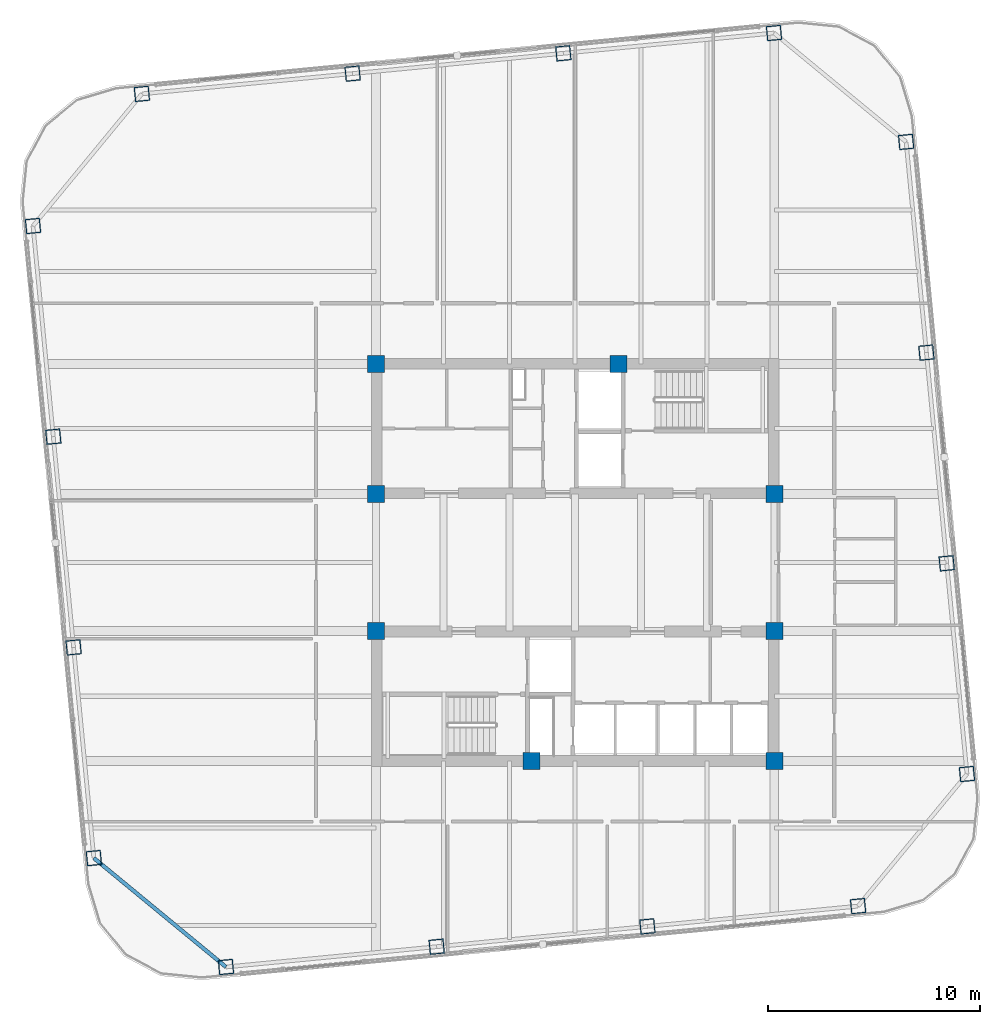
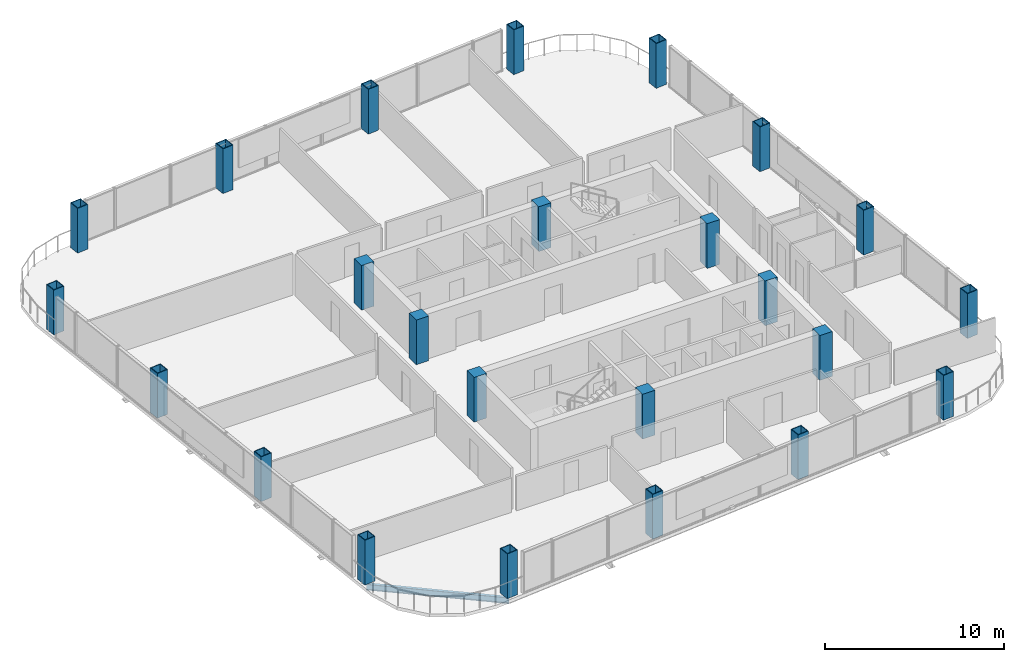
# One storey, part 1 of 22: 24 columns, 1 beam.
"""IFC4 building model written with IfcOpenShell, lengths in metres."""

from ifc_helpers import new_model, si_unit, direction, frame, origin, origin_2d, place, context, subcontext, project, spatial, rectangle, hollow_rectangle, i_section, extrude, material, material_profile, profile_set, type_object, element, save


model = new_model("IFC4")

# Units and contexts
model_context = context("Model", 3, precision=1e-05, world=origin(), true_north=direction((0.0, 1.0)))
body_context = subcontext(model_context, "Body", "Model", "MODEL_VIEW")
ifc_project = project(units=[si_unit("LENGTHUNIT", "METRE"), si_unit("AREAUNIT", "SQUARE_METRE"), si_unit("VOLUMEUNIT", "CUBIC_METRE"), si_unit("PLANEANGLEUNIT", "RADIAN"), si_unit("MASSUNIT", "GRAM", prefix="KILO")], contexts=[model_context])

# Site, building, storey
site_placement = place(None, origin())
site = spatial("IfcSite", under=ifc_project, at=site_placement, CompositionType="ELEMENT")
building_placement = place(site_placement, origin())
building = spatial("IfcBuilding", under=site, at=building_placement, Name="Qhalaya Broadcast Tower", CompositionType="ELEMENT")
storey_placement = place(building_placement, frame((0.0, 0.0, 174.449951171875)))
storey = spatial("IfcBuildingStorey", under=building, at=storey_placement, Name="L51", CompositionType="ELEMENT", Elevation=174.449951171875)

# Columns
ifc_material_1 = material(Name="Concrete C50/60", Category="concrete")
ifc_material_profile_1 = material_profile(ifc_material_1, rectangle(XDim=0.800048828125, YDim=0.800048828125, at=origin_2d()), Name="RC-COL 800x800")
ifc_profile_set_1 = profile_set([ifc_material_profile_1], Name="Concrete C50/60")
column_type_1 = type_object("IfcColumnType", Name="RC Upper Column C10", PredefinedType="COLUMN", material=ifc_profile_set_1)
for number, where, z_axis, x_axis, name in (
    (1, (-9.375, 9.949951171875, 0.0), (0.0, 0.0, 1.0), (1.0, 0.0, 0.0), "L51 Column COL-CC1"),
    (2, (2.050048828125, 9.949951171875, 0.0), (0.0, 0.0, 1.0), (1.0, 0.0, 0.0), "L51 Column COL-CC2"),
    (3, (-9.375, 3.824951171875, 0.0), (0.0, 0.0, 1.0), (1.0, 0.0, 0.0), "L51 Column COL-CC3"),
    (4, (9.375, 3.824951171875, 0.0), (0.0, 0.0, 1.0), (1.0, 0.0, 0.0), "L51 Column COL-CC4"),
    (5, (-9.375, -2.625, 0.0), (0.0, 0.0, 1.0), (1.0, 0.0, 0.0), "L51 Column COL-CC5"),
    (6, (9.375, -2.625, 0.0), (0.0, 0.0, 1.0), (1.0, 0.0, 0.0), "L51 Column COL-CC6"),
    (7, (-2.050048828125, -8.75, 0.0), (0.0, 0.0, 1.0), (1.0, 0.0, 0.0), "L51 Column COL-CC7"),
    (8, (9.375, -8.75, 0.0), (0.0, 0.0, 1.0), (1.0, 0.0, 0.0), "L51 Column COL-CC8"),
):
    element("IfcColumn", number, at=place(storey_placement, frame(where, z_axis=z_axis, x_axis=x_axis)), inside=storey, type_object=column_type_1, Name=name, PredefinedType="COLUMN", context=body_context, shape_type="SweptSolid", body=[
        extrude(rectangle(XDim=0.800048828125, YDim=0.800048828125, at=origin_2d()), origin(), (0.0, 0.0, 1.0), 3.050048828125),
    ])
ifc_material_2 = material(Name="Structural Steel ASTM A572 Grade 50", Category="steel")
ifc_material_profile_2 = material_profile(ifc_material_2, hollow_rectangle(XDim=0.699951171875, YDim=0.699951171875, WallThickness=0.044921875, at=origin_2d()), Name="BOX 700x700x45")
ifc_profile_set_2 = profile_set([ifc_material_profile_2], Name="Structural Steel ASTM A572 Grade 50")
column_type_2 = type_object("IfcColumnType", Name="Steel Box Column C04", PredefinedType="COLUMN", material=ifc_profile_set_2)
for number, where, z_axis, x_axis, name in (
    (9, (-16.44189453125, -18.44775390625, 0.0), (0.0, 0.0, 1.0), (0.995396198367, 0.09584575252, 0.0), "L51 Column COL-EX01"),
    (10, (-6.521240234375, -17.49267578125, 0.0), (0.0, 0.0, 1.0), (0.995396198367, 0.09584575252, 0.0), "L51 Column COL-EX02"),
    (11, (3.399658203125, -16.537353515625, 0.0), (0.0, 0.0, 1.0), (0.995396198367, 0.09584575252, 0.0), "L51 Column COL-EX03"),
    (12, (13.3203125, -15.58203125, 0.0), (0.0, 0.0, 1.0), (0.995396198367, 0.09584575252, 0.0), "L51 Column COL-EX04"),
    (13, (18.44775390625, -9.362060546875, 0.0), (0.0, 0.0, 1.0), (-0.09584575252, 0.995396198367, 0.0), "L51 Column COL-EX05"),
    (14, (17.49267578125, 0.558837890625, 0.0), (0.0, 0.0, 1.0), (-0.09584575252, 0.995396198367, 0.0), "L51 Column COL-EX06"),
    (15, (16.537353515625, 10.4794921875, 0.0), (0.0, 0.0, 1.0), (-0.09584575252, 0.995396198367, 0.0), "L51 Column COL-EX07"),
    (16, (15.58203125, 20.400390625, 0.0), (0.0, 0.0, 1.0), (-0.09584575252, 0.995396198367, 0.0), "L51 Column COL-EX08"),
    (17, (9.362060546875, 25.52783203125, 0.0), (0.0, 0.0, 1.0), (0.995396198367, 0.09584575252, 0.0), "L51 Column COL-EX09"),
    (18, (-0.558837890625, 24.572509765625, 0.0), (0.0, 0.0, 1.0), (0.995396198367, 0.09584575252, 0.0), "L51 Column COL-EX10"),
    (19, (-10.4794921875, 23.6171875, 0.0), (0.0, 0.0, 1.0), (0.995396198367, 0.09584575252, 0.0), "L51 Column COL-EX11"),
    (20, (-20.400390625, 22.662109375, 0.0), (0.0, 0.0, 1.0), (0.995396198367, 0.09584575252, 0.0), "L51 Column COL-EX12"),
    (21, (-25.52783203125, 16.44189453125, 0.0), (0.0, 0.0, 1.0), (-0.09584575252, 0.995396198367, 0.0), "L51 Column COL-EX13"),
    (22, (-24.572509765625, 6.521240234375, 0.0), (0.0, 0.0, 1.0), (-0.09584575252, 0.995396198367, 0.0), "L51 Column COL-EX14"),
    (23, (-23.6171875, -3.399658203125, 0.0), (0.0, 0.0, 1.0), (-0.09584575252, 0.995396198367, 0.0), "L51 Column COL-EX15"),
    (24, (-22.662109375, -13.3203125, 0.0), (0.0, 0.0, 1.0), (-0.09584575252, 0.995396198367, 0.0), "L51 Column COL-EX16"),
):
    element("IfcColumn", number, at=place(storey_placement, frame(where, z_axis=z_axis, x_axis=x_axis)), inside=storey, type_object=column_type_2, Name=name, PredefinedType="COLUMN", context=body_context, shape_type="SweptSolid", body=[
        extrude(hollow_rectangle(XDim=0.699951171875, YDim=0.699951171875, WallThickness=0.044921875, at=origin_2d()), origin(), (0.0, 0.0, 1.0), 3.050048828125),
    ])

# Beam
ifc_material_3 = material(Name="Structural Steel ASTM A992 Grade 50", Category="steel")
ifc_material_profile_3 = material_profile(ifc_material_3, i_section(OverallWidth=0.177978515625, OverallDepth=0.406005859375, WebThickness=0.0078125, FlangeThickness=0.0126953125, at=origin_2d()), Name="W16X40")
ifc_profile_set_3 = profile_set([ifc_material_profile_3], Name="Structural Steel ASTM A992 Grade 50")
beam_type = type_object("IfcBeamType", Name="Upper Perimeter Spandrel Beam SP2", PredefinedType="SPANDREL", material=ifc_profile_set_3)
beam_placement = place(storey_placement, frame((-22.662109375, -13.3203125, -0.4228515625), z_axis=(0.771631160126, -0.636070241972, 0.0), x_axis=(0.636070241972, 0.771631160126, 0.0)))
element("IfcBeam", 25, at=beam_placement, inside=storey, type_object=beam_type, Name="L51 SP2 L51-SPR-16", PredefinedType="SPANDREL", context=body_context, shape_type="SweptSolid", body=[
    extrude(i_section(OverallWidth=0.177978515625, OverallDepth=0.406005859375, WebThickness=0.0078125, FlangeThickness=0.0126953125, at=origin_2d()), origin(), (0.0, 0.0, 1.0), 8.06103515625),
])

save(model, "model.ifc")
